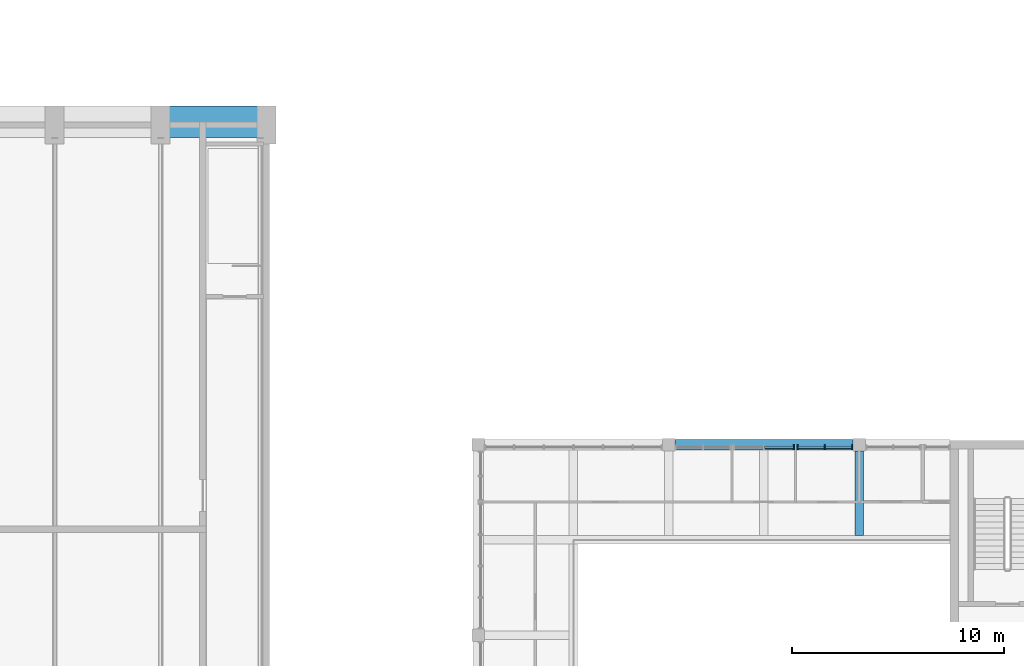
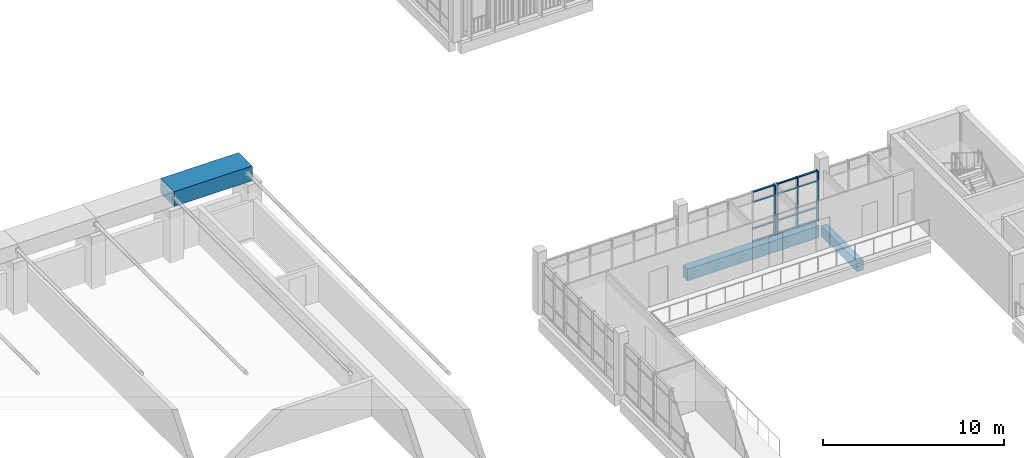
# One storey, part 8 of 92: 16 members, 3 beams, 2 elements without a shape of their own.
"""IFC4 building model written with IfcOpenShell, lengths in metres."""

from ifc_helpers import new_model, si_unit, direction, frame, origin, origin_2d, place, context, subcontext, project, spatial, rectangle, extrude, material, material_profile, profile_set, type_object, element, aggregate, save


model = new_model("IFC4")

# Units and contexts
model_context = context("Model", 3, precision=1e-05, world=origin(), true_north=direction((0.0, 1.0)))
body_context = subcontext(model_context, "Body", "Model", "MODEL_VIEW")
ifc_project = project(units=[si_unit("LENGTHUNIT", "METRE"), si_unit("AREAUNIT", "SQUARE_METRE"), si_unit("VOLUMEUNIT", "CUBIC_METRE"), si_unit("PLANEANGLEUNIT", "RADIAN"), si_unit("MASSUNIT", "GRAM", prefix="KILO")], contexts=[model_context])

# Site, building, storey
site_placement = place(None, origin())
site = spatial("IfcSite", under=ifc_project, at=site_placement, CompositionType="ELEMENT")
building_placement = place(site_placement, origin())
building = spatial("IfcBuilding", under=site, at=building_placement, Name="Merrow Basin Faculty of Sciences", CompositionType="ELEMENT")
storey_placement = place(building_placement, frame((0.0, 0.0, 4.5)))
storey = spatial("IfcBuildingStorey", under=building, at=storey_placement, Name="L01", CompositionType="ELEMENT", Elevation=4.5)

# Curtain wall, member
ifc_material_1 = material(Name="Aluminium alloy 6063", Category="aluminium")
curtain_wall_type = type_object("IfcCurtainWallType", Name="Atrium unitised curtain wall 240", PredefinedType="NOTDEFINED", material=ifc_material_1)
curtain_wall_1_placement = place(storey_placement, origin())
curtain_wall_1 = element("IfcCurtainWall", 1, at=curtain_wall_1_placement, inside=storey, type_object=curtain_wall_type, Name="N curtain wall L01 3", PredefinedType="NOTDEFINED")
ifc_material_2 = material(Name="Aluminium alloy 6063", Category="aluminium")
ifc_material_profile_1 = material_profile(ifc_material_2, rectangle(XDim=0.239990234375, YDim=0.06005859375, at=origin_2d()))
ifc_profile_set_1 = profile_set([ifc_material_profile_1], Name="Aluminium alloy 6063")
member_type_1 = type_object("IfcMemberType", Name="Aluminium mullion 60x240", PredefinedType="MULLION", material=ifc_profile_set_1)
member_1_placement = place(storey_placement, frame((59.919921875, 35.8798828125, 0.0), z_axis=(0.0, 0.0, 1.0), x_axis=(0.0, 1.0, 0.0)))
member_1 = element("IfcMember", 2, at=member_1_placement, type_object=member_type_1, Name="CW5 mullion 3", PredefinedType="MULLION", context=body_context, shape_type="SweptSolid", body=[
    extrude(rectangle(XDim=0.239990234375, YDim=0.06005859375, at=origin_2d()), origin(), (0.0, 0.0, 1.0), 3.39990234375),
])

# Curtain wall, members
curtain_wall_2_placement = place(storey_placement, origin())
curtain_wall_2 = element("IfcCurtainWall", 3, at=curtain_wall_2_placement, inside=storey, type_object=curtain_wall_type, Name="N curtain wall L01 4", PredefinedType="NOTDEFINED")
member_2_placement = place(storey_placement, frame((60.080078125, 35.8798828125, 0.0), z_axis=(0.0, 0.0, 1.0), x_axis=(0.0, 1.0, 0.0)))
member_2 = element("IfcMember", 4, at=member_2_placement, type_object=member_type_1, Name="CW5 mullion 1", PredefinedType="MULLION", context=body_context, shape_type="SweptSolid", body=[
    extrude(rectangle(XDim=0.239990234375, YDim=0.06005859375, at=origin_2d()), origin(), (0.0, 0.0, 1.0), 3.39990234375),
])
member_3_placement = place(storey_placement, frame((61.375, 35.8798828125, 0.0), z_axis=(0.0, 0.0, 1.0), x_axis=(0.0, 1.0, 0.0)))
member_3 = element("IfcMember", 5, at=member_3_placement, type_object=member_type_1, Name="CW5 mullion 2", PredefinedType="MULLION", context=body_context, shape_type="SweptSolid", body=[
    extrude(rectangle(XDim=0.239990234375, YDim=0.06005859375, at=origin_2d()), origin(), (0.0, 0.0, 1.0), 3.39990234375),
])
member_4_placement = place(storey_placement, frame((62.669921875, 35.8798828125, 0.0), z_axis=(0.0, 0.0, 1.0), x_axis=(0.0, 1.0, 0.0)))
member_4 = element("IfcMember", 6, at=member_4_placement, type_object=member_type_1, Name="CW5 mullion 3", PredefinedType="MULLION", context=body_context, shape_type="SweptSolid", body=[
    extrude(rectangle(XDim=0.239990234375, YDim=0.06005859375, at=origin_2d()), origin(), (0.0, 0.0, 1.0), 3.39990234375),
])

# Member
ifc_material_3 = material(Name="Aluminium alloy 6063", Category="aluminium")
ifc_material_profile_2 = material_profile(ifc_material_3, rectangle(XDim=0.1201171875, YDim=0.06005859375, at=origin_2d()))
ifc_profile_set_2 = profile_set([ifc_material_profile_2], Name="Aluminium alloy 6063")
member_type_2 = type_object("IfcMemberType", Name="Aluminium transom 60x120", PredefinedType="USERDEFINED", material=ifc_profile_set_2)
member_5_placement = place(storey_placement, frame((58.530029296875, 35.8798828125, 0.030029296875), z_axis=(1.0, 0.0, 0.0), x_axis=(0.0, 1.0, 0.0)))
member_5 = element("IfcMember", 7, at=member_5_placement, type_object=member_type_2, Name="CW5 transom 2.1", ObjectType="TRANSOM", PredefinedType="USERDEFINED", context=body_context, shape_type="SweptSolid", body=[
    extrude(rectangle(XDim=0.1201171875, YDim=0.06005859375, at=origin_2d()), origin(), (0.0, 0.0, 1.0), 1.35986328125),
])

member_6_placement = place(storey_placement, frame((58.530029296875, 35.8798828125, 0.89990234375), z_axis=(1.0, 0.0, 0.0), x_axis=(0.0, 1.0, 0.0)))
member_6 = element("IfcMember", 8, at=member_6_placement, type_object=member_type_2, Name="CW5 transom 2.2", ObjectType="TRANSOM", PredefinedType="USERDEFINED", context=body_context, shape_type="SweptSolid", body=[
    extrude(rectangle(XDim=0.1201171875, YDim=0.06005859375, at=origin_2d()), origin(), (0.0, 0.0, 1.0), 1.35986328125),
])

member_7_placement = place(storey_placement, frame((58.530029296875, 35.8798828125, 2.699951171875), z_axis=(1.0, 0.0, 0.0), x_axis=(0.0, 1.0, 0.0)))
member_7 = element("IfcMember", 9, at=member_7_placement, type_object=member_type_2, Name="CW5 transom 2.3", ObjectType="TRANSOM", PredefinedType="USERDEFINED", context=body_context, shape_type="SweptSolid", body=[
    extrude(rectangle(XDim=0.1201171875, YDim=0.06005859375, at=origin_2d()), origin(), (0.0, 0.0, 1.0), 1.35986328125),
])

member_8_placement = place(storey_placement, frame((58.530029296875, 35.8798828125, 3.3701171875), z_axis=(1.0, 0.0, 0.0), x_axis=(0.0, 1.0, 0.0)))
member_8 = element("IfcMember", 10, at=member_8_placement, type_object=member_type_2, Name="CW5 transom 2.4", ObjectType="TRANSOM", PredefinedType="USERDEFINED", context=body_context, shape_type="SweptSolid", body=[
    extrude(rectangle(XDim=0.1201171875, YDim=0.06005859375, at=origin_2d()), origin(), (0.0, 0.0, 1.0), 1.35986328125),
])

aggregate(curtain_wall_1, [member_1, member_5, member_6, member_7, member_8])

member_9_placement = place(storey_placement, frame((60.110107421875, 35.8798828125, 0.030029296875), z_axis=(1.0, 0.0, 0.0), x_axis=(0.0, 1.0, 0.0)))
member_9 = element("IfcMember", 11, at=member_9_placement, type_object=member_type_2, Name="CW5 transom 1.1", ObjectType="TRANSOM", PredefinedType="USERDEFINED", context=body_context, shape_type="SweptSolid", body=[
    extrude(rectangle(XDim=0.1201171875, YDim=0.06005859375, at=origin_2d()), origin(), (0.0, 0.0, 1.0), 1.23486328125),
])

member_10_placement = place(storey_placement, frame((60.110107421875, 35.8798828125, 0.89990234375), z_axis=(1.0, 0.0, 0.0), x_axis=(0.0, 1.0, 0.0)))
member_10 = element("IfcMember", 12, at=member_10_placement, type_object=member_type_2, Name="CW5 transom 1.2", ObjectType="TRANSOM", PredefinedType="USERDEFINED", context=body_context, shape_type="SweptSolid", body=[
    extrude(rectangle(XDim=0.1201171875, YDim=0.06005859375, at=origin_2d()), origin(), (0.0, 0.0, 1.0), 1.23486328125),
])

member_11_placement = place(storey_placement, frame((60.110107421875, 35.8798828125, 2.699951171875), z_axis=(1.0, 0.0, 0.0), x_axis=(0.0, 1.0, 0.0)))
member_11 = element("IfcMember", 13, at=member_11_placement, type_object=member_type_2, Name="CW5 transom 1.3", ObjectType="TRANSOM", PredefinedType="USERDEFINED", context=body_context, shape_type="SweptSolid", body=[
    extrude(rectangle(XDim=0.1201171875, YDim=0.06005859375, at=origin_2d()), origin(), (0.0, 0.0, 1.0), 1.23486328125),
])

member_12_placement = place(storey_placement, frame((60.110107421875, 35.8798828125, 3.3701171875), z_axis=(1.0, 0.0, 0.0), x_axis=(0.0, 1.0, 0.0)))
member_12 = element("IfcMember", 14, at=member_12_placement, type_object=member_type_2, Name="CW5 transom 1.4", ObjectType="TRANSOM", PredefinedType="USERDEFINED", context=body_context, shape_type="SweptSolid", body=[
    extrude(rectangle(XDim=0.1201171875, YDim=0.06005859375, at=origin_2d()), origin(), (0.0, 0.0, 1.0), 1.23486328125),
])

member_13_placement = place(storey_placement, frame((61.405029296875, 35.8798828125, 0.030029296875), z_axis=(1.0, 0.0, 0.0), x_axis=(0.0, 1.0, 0.0)))
member_13 = element("IfcMember", 15, at=member_13_placement, type_object=member_type_2, Name="CW5 transom 2.1", ObjectType="TRANSOM", PredefinedType="USERDEFINED", context=body_context, shape_type="SweptSolid", body=[
    extrude(rectangle(XDim=0.1201171875, YDim=0.06005859375, at=origin_2d()), origin(), (0.0, 0.0, 1.0), 1.23486328125),
])

member_14_placement = place(storey_placement, frame((61.405029296875, 35.8798828125, 0.89990234375), z_axis=(1.0, 0.0, 0.0), x_axis=(0.0, 1.0, 0.0)))
member_14 = element("IfcMember", 16, at=member_14_placement, type_object=member_type_2, Name="CW5 transom 2.2", ObjectType="TRANSOM", PredefinedType="USERDEFINED", context=body_context, shape_type="SweptSolid", body=[
    extrude(rectangle(XDim=0.1201171875, YDim=0.06005859375, at=origin_2d()), origin(), (0.0, 0.0, 1.0), 1.23486328125),
])

member_15_placement = place(storey_placement, frame((61.405029296875, 35.8798828125, 2.699951171875), z_axis=(1.0, 0.0, 0.0), x_axis=(0.0, 1.0, 0.0)))
member_15 = element("IfcMember", 17, at=member_15_placement, type_object=member_type_2, Name="CW5 transom 2.3", ObjectType="TRANSOM", PredefinedType="USERDEFINED", context=body_context, shape_type="SweptSolid", body=[
    extrude(rectangle(XDim=0.1201171875, YDim=0.06005859375, at=origin_2d()), origin(), (0.0, 0.0, 1.0), 1.23486328125),
])

member_16_placement = place(storey_placement, frame((61.405029296875, 35.8798828125, 3.3701171875), z_axis=(1.0, 0.0, 0.0), x_axis=(0.0, 1.0, 0.0)))
member_16 = element("IfcMember", 18, at=member_16_placement, type_object=member_type_2, Name="CW5 transom 2.4", ObjectType="TRANSOM", PredefinedType="USERDEFINED", context=body_context, shape_type="SweptSolid", body=[
    extrude(rectangle(XDim=0.1201171875, YDim=0.06005859375, at=origin_2d()), origin(), (0.0, 0.0, 1.0), 1.23486328125),
])

aggregate(curtain_wall_2, [member_2, member_3, member_4, member_9, member_10, member_11, member_12, member_13, member_14, member_15, member_16])

# Beams
ifc_material_4 = material(Name="Concrete C40/50", Category="concrete")
ifc_material_profile_3 = material_profile(ifc_material_4, rectangle(XDim=0.5, YDim=0.800048828125, at=origin_2d()))
ifc_profile_set_3 = profile_set([ifc_material_profile_3], Name="Concrete C40/50")
beam_type_1 = type_object("IfcBeamType", Name="Beam RC500x800 C40/50", PredefinedType="BEAM", material=ifc_profile_set_3)
beam_1_placement = place(storey_placement, frame((54.300048828125, 36.0, -0.699951171875), z_axis=(1.0, 0.0, 0.0), x_axis=(0.0, 1.0, 0.0)))
element("IfcBeam", 19, at=beam_1_placement, inside=storey, type_object=beam_type_1, Name="B4 L01 005", PredefinedType="BEAM", context=body_context, shape_type="SweptSolid", body=[
    extrude(rectangle(XDim=0.5, YDim=0.800048828125, at=origin_2d()), origin(), (0.0, 0.0, 1.0), 8.39990234375),
])
ifc_material_5 = material(Name="Concrete C50/60", Category="concrete")
ifc_material_profile_4 = material_profile(ifc_material_5, rectangle(XDim=1.5, YDim=1.0, at=origin_2d()))
ifc_profile_set_4 = profile_set([ifc_material_profile_4], Name="Concrete C50/60")
beam_type_2 = type_object("IfcBeamType", Name="Edge beam RC1500x1000 C50/60", PredefinedType="BEAM", material=ifc_profile_set_4)
beam_2_placement = place(storey_placement, frame((30.0, 51.25, 4.0), z_axis=(1.0, 0.0, 0.0), x_axis=(0.0, 1.0, 0.0)))
element("IfcBeam", 20, at=beam_2_placement, inside=storey, type_object=beam_type_2, Name="Edge beam N 014", PredefinedType="BEAM", context=body_context, shape_type="SweptSolid", body=[
    extrude(rectangle(XDim=1.5, YDim=1.0, at=origin_2d()), origin(), (0.0, 0.0, 1.0), 5.0),
])
ifc_material_6 = material(Name="Concrete C40/50", Category="concrete")
ifc_material_profile_5 = material_profile(ifc_material_6, rectangle(XDim=0.39990234375, YDim=0.699951171875, at=origin_2d()))
ifc_profile_set_5 = profile_set([ifc_material_profile_5], Name="Concrete C40/50")
beam_type_3 = type_object("IfcBeamType", Name="Gallery edge beam RC400x700 C40/50", PredefinedType="BEAM", material=ifc_profile_set_5)
beam_3_placement = place(storey_placement, frame((63.0, 31.699951171875, -0.64990234375), z_axis=(0.0, 1.0, 0.0), x_axis=(-1.0, 0.0, 0.0)))
element("IfcBeam", 21, at=beam_3_placement, inside=storey, type_object=beam_type_3, Name="GB1 L01 024", PredefinedType="BEAM", context=body_context, shape_type="SweptSolid", body=[
    extrude(rectangle(XDim=0.39990234375, YDim=0.699951171875, at=origin_2d()), origin(), (0.0, 0.0, 1.0), 4.0),
])

save(model, "model.ifc")
